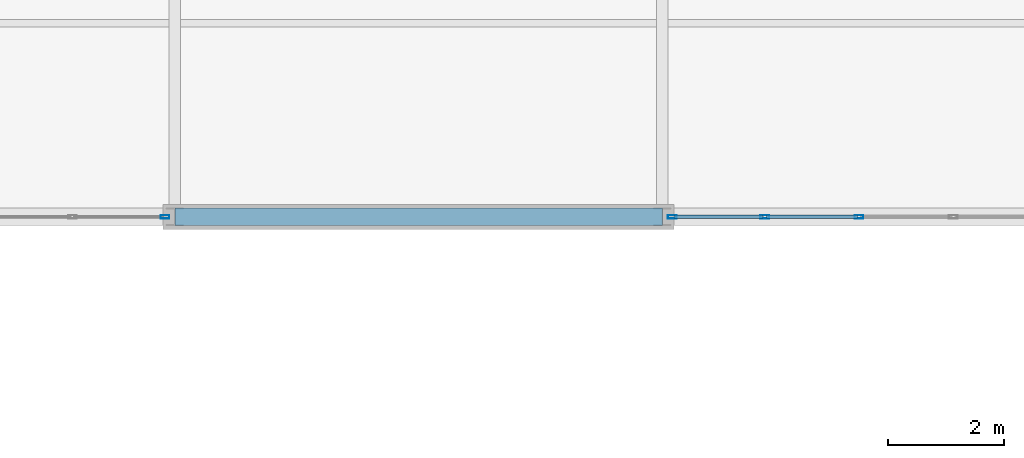
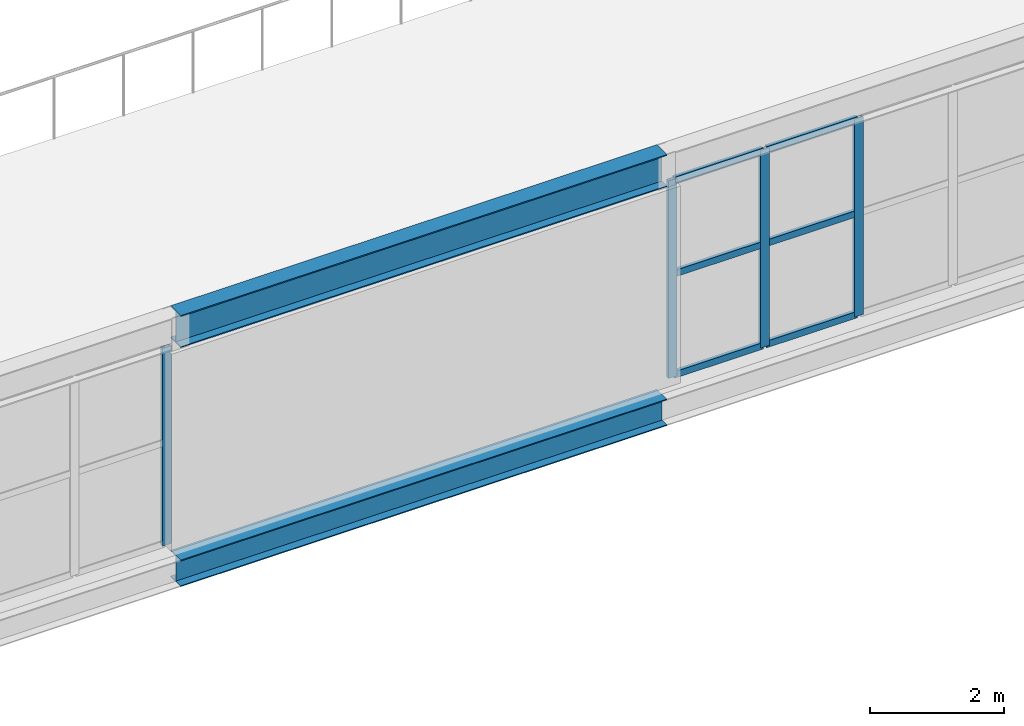
# One storey, part 100 of 218: 10 members, 2 beams, 2 elements without a shape of their own.
"""IFC4 building model written with IfcOpenShell, lengths in metres."""

from ifc_helpers import new_model, si_unit, direction, frame, origin, origin_2d, place, context, subcontext, project, spatial, hollow_rectangle, i_section, extrude, material, material_profile, profile_set, type_object, element, aggregate, save


model = new_model("IFC4")

# Units and contexts
model_context = context("Model", 3, precision=1e-05, world=origin(), true_north=direction((0.0, 1.0)))
body_context = subcontext(model_context, "Body", "Model", "MODEL_VIEW")
ifc_project = project(units=[si_unit("LENGTHUNIT", "METRE"), si_unit("AREAUNIT", "SQUARE_METRE"), si_unit("VOLUMEUNIT", "CUBIC_METRE"), si_unit("PLANEANGLEUNIT", "RADIAN"), si_unit("MASSUNIT", "GRAM", prefix="KILO")], contexts=[model_context])

# Site, building, storey
site_placement = place(None, origin())
site = spatial("IfcSite", under=ifc_project, at=site_placement, CompositionType="ELEMENT")
building_placement = place(site_placement, origin())
building = spatial("IfcBuilding", under=site, at=building_placement, Name="Kazenagashi Tramway Depot", CompositionType="ELEMENT")
storey_placement = place(building_placement, frame((0.0, 0.0, 6.0)))
storey = spatial("IfcBuildingStorey", under=building, at=storey_placement, Name="L02", CompositionType="ELEMENT", Elevation=6.0)

# Curtain wall, member
ifc_material_1 = material(Name="Anodised Aluminium and Low-E Glazing", Category="aluminium")
curtain_wall_type = type_object("IfcCurtainWallType", Name="CW-11", PredefinedType="USERDEFINED", material=ifc_material_1)
curtain_wall_1_placement = place(storey_placement, origin())
curtain_wall_1 = element("IfcCurtainWall", 1, at=curtain_wall_1_placement, inside=storey, type_object=curtain_wall_type, Name="Industrial Glazed Screen CW-11 CW-0033", ObjectType="GLAZED SCREEN", PredefinedType="USERDEFINED")
ifc_material_2 = material(Name="Anodised Aluminium", Category="aluminium")
ifc_material_profile_1 = material_profile(ifc_material_2, hollow_rectangle(XDim=0.06, YDim=0.15, WallThickness=0.004, at=origin_2d()), Name="RHS-150x60x4")
ifc_profile_set_1 = profile_set([ifc_material_profile_1], Name="Anodised Aluminium")
member_type_1 = type_object("IfcMemberType", Name="ML-01", PredefinedType="MULLION", material=ifc_profile_set_1)
member_1_placement = place(storey_placement, frame((111.83, 70.0, 0.0), z_axis=(0.0, 0.0, 1.0), x_axis=(0.0, 1.0, 0.0)))
member_1 = element("IfcMember", 2, at=member_1_placement, type_object=member_type_1, Name="CW-11 mullion 6", PredefinedType="MULLION", context=body_context, shape_type="SweptSolid", body=[
    extrude(hollow_rectangle(XDim=0.06, YDim=0.15, WallThickness=0.004, at=origin_2d()), origin(), (0.0, 0.0, 1.0), 3.612),
])
aggregate(curtain_wall_1, [member_1])

# Curtain wall, members
curtain_wall_2_placement = place(storey_placement, origin())
curtain_wall_2 = element("IfcCurtainWall", 3, at=curtain_wall_2_placement, inside=storey, type_object=curtain_wall_type, Name="Industrial Glazed Screen CW-11 CW-0036", ObjectType="GLAZED SCREEN", PredefinedType="USERDEFINED")
member_2_placement = place(storey_placement, frame((120.57, 70.0, 0.0), z_axis=(0.0, 0.0, 1.0), x_axis=(0.0, 1.0, 0.0)))
member_2 = element("IfcMember", 4, at=member_2_placement, type_object=member_type_1, Name="CW-11 mullion 1", PredefinedType="MULLION", context=body_context, shape_type="SweptSolid", body=[
    extrude(hollow_rectangle(XDim=0.06, YDim=0.15, WallThickness=0.004, at=origin_2d()), origin(), (0.0, 0.0, 1.0), 3.612),
])
member_3_placement = place(storey_placement, frame((122.164, 70.0, 0.0), z_axis=(0.0, 0.0, 1.0), x_axis=(0.0, 1.0, 0.0)))
member_3 = element("IfcMember", 5, at=member_3_placement, type_object=member_type_1, Name="CW-11 mullion 2", PredefinedType="MULLION", context=body_context, shape_type="SweptSolid", body=[
    extrude(hollow_rectangle(XDim=0.06, YDim=0.15, WallThickness=0.004, at=origin_2d()), origin(), (0.0, 0.0, 1.0), 3.612),
])
member_4_placement = place(storey_placement, frame((123.788, 70.0, 0.0), z_axis=(0.0, 0.0, 1.0), x_axis=(0.0, 1.0, 0.0)))
member_4 = element("IfcMember", 6, at=member_4_placement, type_object=member_type_1, Name="CW-11 mullion 3", PredefinedType="MULLION", context=body_context, shape_type="SweptSolid", body=[
    extrude(hollow_rectangle(XDim=0.06, YDim=0.15, WallThickness=0.004, at=origin_2d()), origin(), (0.0, 0.0, 1.0), 3.612),
])

# Beams
ifc_material_3 = material(Name="Steel SN490B", Category="steel")
ifc_material_profile_2 = material_profile(ifc_material_3, i_section(OverallWidth=0.3, OverallDepth=0.588, WebThickness=0.012, FlangeThickness=0.02, at=origin_2d()), Name="H-588x300x12x20")
ifc_profile_set_2 = profile_set([ifc_material_profile_2], Name="Steel SN490B")
beam_type_1 = type_object("IfcBeamType", Name="SP-01", PredefinedType="SPANDREL", material=ifc_profile_set_2)
beam_1_placement = place(storey_placement, frame((112.0, 70.0, 3.906), z_axis=(1.0, 0.0, 0.0), x_axis=(0.0, 1.0, 0.0)))
element("IfcBeam", 7, at=beam_1_placement, inside=storey, type_object=beam_type_1, Name="Beam SP-01 BM-1852", PredefinedType="SPANDREL", context=body_context, shape_type="SweptSolid", body=[
    extrude(i_section(OverallWidth=0.3, OverallDepth=0.588, WebThickness=0.012, FlangeThickness=0.02, at=origin_2d()), origin(), (0.0, 0.0, 1.0), 8.4),
])
ifc_material_profile_3 = material_profile(ifc_material_3, i_section(OverallWidth=0.3, OverallDepth=0.488, WebThickness=0.011, FlangeThickness=0.018, at=origin_2d()), Name="H-488x300x11x18")
ifc_profile_set_3 = profile_set([ifc_material_profile_3], Name="Steel SN490B")
beam_type_2 = type_object("IfcBeamType", Name="SP-02", PredefinedType="SPANDREL", material=ifc_profile_set_3)
beam_2_placement = place(storey_placement, frame((112.0, 70.0, -0.509), z_axis=(1.0, 0.0, 0.0), x_axis=(0.0, 1.0, 0.0)))
element("IfcBeam", 8, at=beam_2_placement, inside=storey, type_object=beam_type_2, Name="Beam SP-02 BM-1709", PredefinedType="SPANDREL", context=body_context, shape_type="SweptSolid", body=[
    extrude(i_section(OverallWidth=0.3, OverallDepth=0.488, WebThickness=0.011, FlangeThickness=0.018, at=origin_2d()), origin(), (0.0, 0.0, 1.0), 8.4),
])

# Member
ifc_material_profile_4 = material_profile(ifc_material_2, hollow_rectangle(XDim=0.06, YDim=0.12, WallThickness=0.004, at=origin_2d()), Name="RHS-120x60x4")
ifc_profile_set_4 = profile_set([ifc_material_profile_4], Name="Anodised Aluminium")
member_type_2 = type_object("IfcMemberType", Name="TR-01", PredefinedType="USERDEFINED", material=ifc_profile_set_4)
member_5_placement = place(storey_placement, frame((120.6, 70.0, 0.03), z_axis=(1.0, 0.0, 0.0), x_axis=(0.0, 1.0, 0.0)))
member_5 = element("IfcMember", 9, at=member_5_placement, type_object=member_type_2, Name="CW-11 transom 1.1", ObjectType="TRANSOM", PredefinedType="USERDEFINED", context=body_context, shape_type="SweptSolid", body=[
    extrude(hollow_rectangle(XDim=0.06, YDim=0.12, WallThickness=0.004, at=origin_2d()), origin(), (0.0, 0.0, 1.0), 1.534),
])

member_6_placement = place(storey_placement, frame((120.6, 70.0, 1.878), z_axis=(1.0, 0.0, 0.0), x_axis=(0.0, 1.0, 0.0)))
member_6 = element("IfcMember", 10, at=member_6_placement, type_object=member_type_2, Name="CW-11 transom 1.2", ObjectType="TRANSOM", PredefinedType="USERDEFINED", context=body_context, shape_type="SweptSolid", body=[
    extrude(hollow_rectangle(XDim=0.06, YDim=0.12, WallThickness=0.004, at=origin_2d()), origin(), (0.0, 0.0, 1.0), 1.534),
])

member_7_placement = place(storey_placement, frame((120.6, 70.0, 3.582), z_axis=(1.0, 0.0, 0.0), x_axis=(0.0, 1.0, 0.0)))
member_7 = element("IfcMember", 11, at=member_7_placement, type_object=member_type_2, Name="CW-11 transom 1.3", ObjectType="TRANSOM", PredefinedType="USERDEFINED", context=body_context, shape_type="SweptSolid", body=[
    extrude(hollow_rectangle(XDim=0.06, YDim=0.12, WallThickness=0.004, at=origin_2d()), origin(), (0.0, 0.0, 1.0), 1.534),
])

member_8_placement = place(storey_placement, frame((122.194, 70.0, 0.03), z_axis=(1.0, 0.0, 0.0), x_axis=(0.0, 1.0, 0.0)))
member_8 = element("IfcMember", 12, at=member_8_placement, type_object=member_type_2, Name="CW-11 transom 2.1", ObjectType="TRANSOM", PredefinedType="USERDEFINED", context=body_context, shape_type="SweptSolid", body=[
    extrude(hollow_rectangle(XDim=0.06, YDim=0.12, WallThickness=0.004, at=origin_2d()), origin(), (0.0, 0.0, 1.0), 1.564),
])

member_9_placement = place(storey_placement, frame((122.194, 70.0, 1.878), z_axis=(1.0, 0.0, 0.0), x_axis=(0.0, 1.0, 0.0)))
member_9 = element("IfcMember", 13, at=member_9_placement, type_object=member_type_2, Name="CW-11 transom 2.2", ObjectType="TRANSOM", PredefinedType="USERDEFINED", context=body_context, shape_type="SweptSolid", body=[
    extrude(hollow_rectangle(XDim=0.06, YDim=0.12, WallThickness=0.004, at=origin_2d()), origin(), (0.0, 0.0, 1.0), 1.564),
])

member_10_placement = place(storey_placement, frame((122.194, 70.0, 3.582), z_axis=(1.0, 0.0, 0.0), x_axis=(0.0, 1.0, 0.0)))
member_10 = element("IfcMember", 14, at=member_10_placement, type_object=member_type_2, Name="CW-11 transom 2.3", ObjectType="TRANSOM", PredefinedType="USERDEFINED", context=body_context, shape_type="SweptSolid", body=[
    extrude(hollow_rectangle(XDim=0.06, YDim=0.12, WallThickness=0.004, at=origin_2d()), origin(), (0.0, 0.0, 1.0), 1.564),
])

aggregate(curtain_wall_2, [member_2, member_3, member_4, member_5, member_6, member_7, member_8, member_9, member_10])

save(model, "model.ifc")
